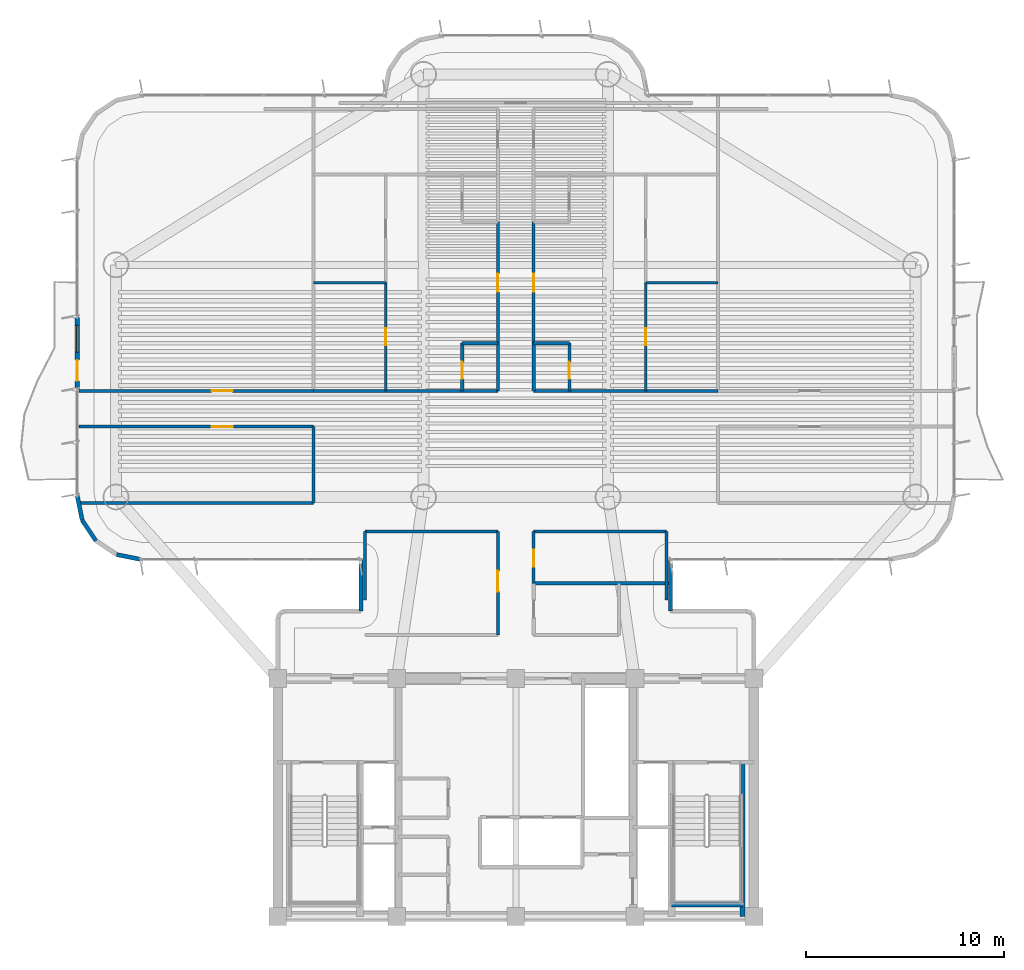
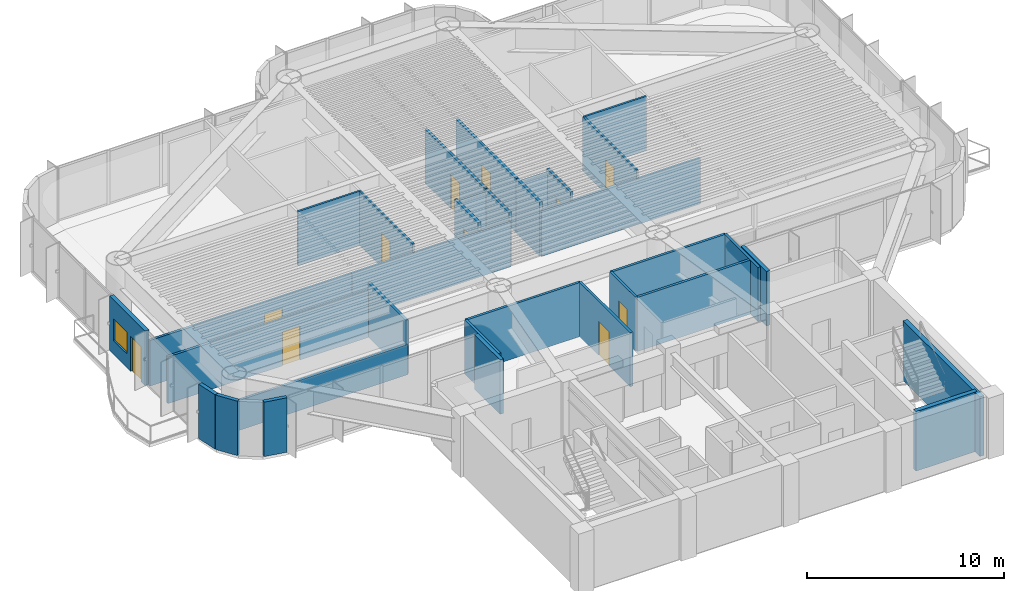
# One storey, part 9 of 15: 33 walls, 11 doors, 1 window, 12 openings.
"""IFC4 building model written with IfcOpenShell, lengths in metres."""

import ifcopenshell
import ifcopenshell.guid

model = None  # the IFC model being written
_history = None  # IfcOwnerHistory: only IFC2X3 demands one
_inside = {}  # id of a spatial element -> (the spatial element, [elements in it])
_under = {}  # id of a project, library or spatial element -> (it, [spatial elements below it])
_declared = {}  # id of a project -> (the project, [libraries it declares])
_typed = {}  # id of a type object -> (the type object, [elements of that type])
_made_of = {}  # id of a material, layer set ... -> (it, [elements and type objects made of it])


def new_model(schema):
    """Start an empty IFC model of exactly this schema.

    Asked for "IFC4X3", IfcOpenShell would pick the latest addendum, in which some entities
    have other attributes; the version numbers below select the first issue.
    IFC2X3 requires an IfcOwnerHistory on every rooted entity: one is made here for all.
    """
    global model, _history
    if schema == "IFC4X3":
        model = ifcopenshell.file(schema_version=(4, 3, 0, 0))
    else:
        model = ifcopenshell.file(schema=schema)
    _inside.clear()
    _under.clear()
    _declared.clear()
    _typed.clear()
    _made_of.clear()
    _history = None
    if model.schema == "IFC2X3":
        org = make("IfcOrganization", Name="unknown")
        user = make(
            "IfcPersonAndOrganization",
            ThePerson=make("IfcPerson", FamilyName="unknown"),
            TheOrganization=org,
        )
        app = make(
            "IfcApplication",
            ApplicationDeveloper=org,
            Version="unknown",
            ApplicationFullName="unknown",
            ApplicationIdentifier="unknown",
        )
        _history = make(
            "IfcOwnerHistory",
            OwningUser=user,
            OwningApplication=app,
            ChangeAction="ADDED",
            CreationDate=0,
        )
    return model


def make(cls, **values):
    """One entity of the class cls with the attributes given. An attribute that is None is left unset."""
    return model.create_entity(
        cls, **{name: value for name, value in values.items() if value is not None}
    )


def rooted(cls, **values):
    """An entity with a GlobalId (a new one), such as an element, a storey or a relation."""
    return make(cls, GlobalId=ifcopenshell.guid.new(), OwnerHistory=_history, **values)


def si_unit(unit_type, name, prefix=None):
    """IfcSIUnit, for example si_unit("LENGTHUNIT", "METRE", prefix="MILLI")."""
    return make("IfcSIUnit", UnitType=unit_type, Prefix=prefix, Name=name)


def assignment(units):
    """IfcUnitAssignment: the units of a project."""
    return None if units is None else make("IfcUnitAssignment", Units=units)


def point(xyz):
    """IfcCartesianPoint."""
    return None if xyz is None else make("IfcCartesianPoint", Coordinates=xyz)


def direction(xyz):
    """IfcDirection."""
    return None if xyz is None else make("IfcDirection", DirectionRatios=xyz)


def frame(location, z_axis=None, x_axis=None):
    """IfcAxis2Placement3D, a coordinate frame: its origin and axes. An axis left out is left unset."""
    return make(
        "IfcAxis2Placement3D",
        Location=point(location),
        Axis=direction(z_axis),
        RefDirection=direction(x_axis),
    )


def frame_2d(location, x_axis=None):
    """IfcAxis2Placement2D, a coordinate frame in the plane: its origin and x axis."""
    return make(
        "IfcAxis2Placement2D", Location=point(location), RefDirection=direction(x_axis)
    )


def origin():
    """The frame at (0, 0, 0) with its axes left unset."""
    return frame((0.0, 0.0, 0.0))


def origin_2d():
    """The frame at (0, 0) in the plane with its x axis left unset."""
    return frame_2d((0.0, 0.0))


def place(relative_to, where):
    """IfcLocalPlacement: puts the frame where relative to a parent placement (None: the world)."""
    return make(
        "IfcLocalPlacement", PlacementRelTo=relative_to, RelativePlacement=where
    )


def context(
    kind, dimensions, precision=None, world=None, true_north=None, identifier=None
):
    """IfcGeometricRepresentationContext, for example the 3D "Model" context."""
    return make(
        "IfcGeometricRepresentationContext",
        ContextIdentifier=identifier,
        ContextType=kind,
        CoordinateSpaceDimension=dimensions,
        Precision=precision,
        WorldCoordinateSystem=world,
        TrueNorth=true_north,
    )


def subcontext(parent, identifier, kind, view, scale=None):
    """IfcGeometricRepresentationSubContext, for example "Body" below "Model"."""
    return make(
        "IfcGeometricRepresentationSubContext",
        ContextIdentifier=identifier,
        ContextType=kind,
        ParentContext=parent,
        TargetScale=scale,
        TargetView=view,
    )


def project(units=None, contexts=None):
    """IfcProject with its units and contexts."""
    return rooted(
        "IfcProject",
        Name="project",
        RepresentationContexts=contexts,
        UnitsInContext=assignment(units),
    )


def spatial(cls, under=None, at=None, **own):
    """A site, building, storey or space (cls), placed at a placement, below another one or the project."""
    s = rooted(cls, ObjectPlacement=at, **own)
    if under is not None:
        _under.setdefault(under.id(), (under, []))[1].append(s)
    return s


def profile(cls, at=None, kind="AREA", **sizes):
    """A parametric profile (cls). Its sizes go by their IFC names, for example OverallWidth=200.0."""
    return make(cls, ProfileType=kind, Position=at, **sizes)


def rectangle(**sizes):
    """IfcRectangleProfileDef."""
    return profile("IfcRectangleProfileDef", **sizes)


def extrude(swept, where, along, depth):
    """IfcExtrudedAreaSolid: the profile swept, set in the frame where, extruded along a direction by depth."""
    return make(
        "IfcExtrudedAreaSolid",
        SweptArea=swept,
        Position=where,
        ExtrudedDirection=direction(along),
        Depth=depth,
    )


def shape(context_of_items, identifier, shape_type, items):
    """IfcShapeRepresentation: the items that make up one representation, for example the "Body"."""
    return make(
        "IfcShapeRepresentation",
        ContextOfItems=context_of_items,
        RepresentationIdentifier=identifier,
        RepresentationType=shape_type,
        Items=items,
    )


def source(mapping_origin, context_of_items, identifier, shape_type, items):
    """IfcRepresentationMap: a shape defined once, which mapped items show again and again."""
    return make(
        "IfcRepresentationMap",
        MappingOrigin=mapping_origin,
        MappedRepresentation=shape(context_of_items, identifier, shape_type, items),
    )


def transform(
    local_origin,
    x_axis=None,
    y_axis=None,
    z_axis=None,
    scale=None,
    scale2=None,
    scale3=None,
    uniform=True,
):
    """IfcCartesianTransformationOperator3D, or its non-uniform kind. x_axis, y_axis, z_axis: its Axis1, 2, 3."""
    if uniform:
        return make(
            "IfcCartesianTransformationOperator3D",
            Axis1=direction(x_axis),
            Axis2=direction(y_axis),
            LocalOrigin=point(local_origin),
            Scale=scale,
            Axis3=direction(z_axis),
        )
    return make(
        "IfcCartesianTransformationOperator3DnonUniform",
        Axis1=direction(x_axis),
        Axis2=direction(y_axis),
        LocalOrigin=point(local_origin),
        Scale=scale,
        Axis3=direction(z_axis),
        Scale2=scale2,
        Scale3=scale3,
    )


def mapped(mapping_source, mapping_target):
    """IfcMappedItem: shows the shape of a source again, moved by a transform."""
    return make(
        "IfcMappedItem", MappingSource=mapping_source, MappingTarget=mapping_target
    )


def material(Name=None, Category=None):
    """IfcMaterial."""
    return make("IfcMaterial", Name=Name, Category=Category)


def layer(
    of_material, thickness, ventilated=None, Name=None, Category=None, Priority=None
):
    """IfcMaterialLayer: one layer of a wall or slab, of a material (None: an air gap)."""
    return make(
        "IfcMaterialLayer",
        Material=of_material,
        LayerThickness=thickness,
        IsVentilated=ventilated,
        Name=Name,
        Category=Category,
        Priority=Priority,
    )


def layer_set(layers, Name=None):
    """IfcMaterialLayerSet."""
    return make("IfcMaterialLayerSet", MaterialLayers=layers, LayerSetName=Name)


def made_of(thing, what):
    """Note that an element or type object is made of a material, layer set ...; save() writes the relation."""
    if what is not None:
        _made_of.setdefault(what.id(), (what, []))[1].append(thing)
    return thing


def type_object(cls, material=None, **own):
    """A type object (cls), such as IfcWallType, which elements share."""
    return made_of(rooted(cls, **own), material)


def element(
    cls,
    number,
    at=None,
    inside=None,
    cuts=None,
    type_object=None,
    material=None,
    context=None,
    identifier="Body",
    shape_type=None,
    held_by="IfcProductDefinitionShape",
    body=None,
    shapes=None,
    **own,
):
    """One element of the class cls, such as IfcWall. Its Tag is "e" and its number.

    at: its placement. inside: the storey or other place that contains it. cuts: it is an
    opening in that element (IfcRelVoidsElement). A single representation is given by context,
    identifier, shape_type and body (its items); several are given by shapes. held_by: the class
    of the entity that holds the representations. save() writes the other relations.
    """
    e = rooted(cls, Tag="e%d" % number, ObjectPlacement=at, **own)
    if body is not None:
        shapes = [shape(context, identifier, shape_type, body)]
    if shapes is not None:
        e.Representation = make(held_by, Representations=shapes)
    if inside is not None:
        _inside.setdefault(inside.id(), (inside, []))[1].append(e)
    if cuts is not None:
        rooted(
            "IfcRelVoidsElement", RelatingBuildingElement=cuts, RelatedOpeningElement=e
        )
    if type_object is not None:
        _typed.setdefault(type_object.id(), (type_object, []))[1].append(e)
    return made_of(e, material)


def fill(opening, filler):
    """IfcRelFillsElement: the door or window that sits in an opening."""
    return rooted(
        "IfcRelFillsElement",
        RelatingOpeningElement=opening,
        RelatedBuildingElement=filler,
    )


def aggregate(whole, parts):
    """IfcRelAggregates: a whole, such as a stair, and the parts it consists of."""
    return rooted("IfcRelAggregates", RelatingObject=whole, RelatedObjects=parts)


def save(model, path):
    """Write the relations noted so far, then the file.

    IfcRelAggregates (storeys below a building ...), IfcRelContainedInSpatialStructure (elements
    in a storey), IfcRelDefinesByType, IfcRelAssociatesMaterial and IfcRelDeclares: one each for
    every whole, place, type object, material and project.
    """
    for whole, parts in _under.values():
        aggregate(whole, parts)
    for where, things in _inside.values():
        rooted(
            "IfcRelContainedInSpatialStructure",
            RelatedElements=things,
            RelatingStructure=where,
        )
    for kind, things in _typed.values():
        rooted("IfcRelDefinesByType", RelatedObjects=things, RelatingType=kind)
    for what, things in _made_of.values():
        rooted("IfcRelAssociatesMaterial", RelatedObjects=things, RelatingMaterial=what)
    for by, libraries in _declared.values():
        rooted("IfcRelDeclares", RelatingContext=by, RelatedDefinitions=libraries)
    model.write(path)


model = new_model("IFC4")

# Units and contexts
model_context = context("Model", 3, precision=1e-05, world=origin(), true_north=direction((0.0, 1.0)))
body_context = subcontext(model_context, "Body", "Model", "MODEL_VIEW")
ifc_project = project(units=[si_unit("LENGTHUNIT", "METRE"), si_unit("AREAUNIT", "SQUARE_METRE"), si_unit("VOLUMEUNIT", "CUBIC_METRE"), si_unit("PLANEANGLEUNIT", "RADIAN"), si_unit("MASSUNIT", "GRAM", prefix="KILO")], contexts=[model_context])

# Site, building, storey
site_placement = place(None, origin())
site = spatial("IfcSite", under=ifc_project, at=site_placement, CompositionType="ELEMENT")
building_placement = place(site_placement, origin())
building = spatial("IfcBuilding", under=site, at=building_placement, Name="Brelvock Crest Care Tower", CompositionType="ELEMENT")
storey_placement = place(building_placement, frame((0.0, 0.0, 142.739990234375)))
storey = spatial("IfcBuildingStorey", under=building, at=storey_placement, Name="L36", CompositionType="ELEMENT", Elevation=142.739990234375)

# Walls
ifc_material_1 = material(Name="Concrete S80 (80 MPa)", Category="concrete")
ifc_layer_1 = layer(ifc_material_1, 0.25, Name="WL-CS6")
ifc_layer_set_1 = layer_set([ifc_layer_1], Name="Concrete S80 (80 MPa)")
wall_type_1 = type_object("IfcWallType", Name="WL-CS6", PredefinedType="SHEAR", material=ifc_layer_set_1)
wall_1_placement = place(storey_placement, frame((47.419921875, 6.0, 0.0), z_axis=(0.0, 0.0, 1.0), x_axis=(0.0, 1.0, 0.0)))
element("IfcWall", 1, at=wall_1_placement, inside=storey, type_object=wall_type_1, Name="L36 Core Stair ST-2 East Shear Wall", PredefinedType="SHEAR", context=body_context, shape_type="SweptSolid", body=[
    extrude(rectangle(XDim=7.780029296875, YDim=0.25, at=frame_2d((3.89013671875, 0.0))), origin(), (0.0, 0.0, 1.0), 3.69189453125),
])
wall_2_placement = place(storey_placement, frame((43.85009765625, 6.6201171875, 0.0), z_axis=(0.0, 0.0, 1.0), x_axis=(1.0, 0.0, 0.0)))
element("IfcWall", 2, at=wall_2_placement, inside=storey, type_object=wall_type_1, Name="L36 Core Stair ST-2 South Shear Wall", PredefinedType="SHEAR", context=body_context, shape_type="SweptSolid", body=[
    extrude(rectangle(XDim=3.56982421875, YDim=0.25, at=frame_2d((1.784912109375, 0.0))), origin(), (0.0, 0.0, 1.0), 3.69189453125),
])

# Wall, openings, door, window
ifc_material_2 = material(Name="Precast concrete N40 (40 MPa)", Category="concrete")
ifc_layer_2 = layer(ifc_material_2, 0.239990234375, Name="WL-EX1")
ifc_layer_set_2 = layer_set([ifc_layer_2], Name="Precast concrete N40 (40 MPa)")
wall_type_2 = type_object("IfcWallType", Name="WL-EX1", PredefinedType="SOLIDWALL", material=ifc_layer_set_2)
wall_3_placement = place(storey_placement, frame((13.89990234375, 32.60009765625, 0.0), z_axis=(0.0, 0.0, 1.0), x_axis=(0.0, 1.0, 0.0)))
wall_3 = element("IfcWall", 3, at=wall_3_placement, inside=storey, type_object=wall_type_2, Name="L36 Exterior Spandrel Wall WL-BAL-L36-W", PredefinedType="SOLIDWALL", context=body_context, shape_type="SweptSolid", body=[
    extrude(rectangle(XDim=3.599853515625, YDim=0.239990234375, at=frame_2d((1.7998046875, 0.0))), origin(), (0.0, 0.0, 1.0), 3.3720703125),
])
opening_1_placement = place(wall_3_placement, frame((0.39990234375, 0.0, 0.0)))
opening_1 = element("IfcOpeningElement", 4, at=opening_1_placement, cuts=wall_3, Name="Opening BD-1", PredefinedType="OPENING", context=body_context, shape_type="SweptSolid", body=[
    extrude(rectangle(XDim=1.050048828125, YDim=2.14990234375, at=origin_2d()), frame((0.52490234375, 0.1298828125, 1.074951171875), z_axis=(0.0, -1.0, 0.0), x_axis=(1.0, 0.0, 0.0)), (0.0, 0.0, 1.0), 0.260009765625),
])
opening_2_placement = place(wall_3_placement, frame((1.85009765625, 0.0, 0.85009765625)))
opening_2 = element("IfcOpeningElement", 5, at=opening_2_placement, cuts=wall_3, Name="Opening W-01", PredefinedType="OPENING", context=body_context, shape_type="SweptSolid", body=[
    extrude(rectangle(XDim=1.35009765625, YDim=1.35009765625, at=origin_2d()), frame((0.675048828125, 0.1298828125, 0.675048828125), z_axis=(0.0, -1.0, 0.0), x_axis=(1.0, 0.0, 0.0)), (0.0, 0.0, 1.0), 0.260009765625),
])
ifc_material_3 = material(Name="Dark Glass Double Glazed Low-E", Category="glass")
door_type_1 = type_object("IfcDoorType", Name="DR-BAL1", OperationType="NOTDEFINED", PredefinedType="DOOR", material=ifc_material_3)
shared_shape_1 = source(origin(), body_context, "Body", "SweptSolid", [
    extrude(rectangle(XDim=1.050048828125, YDim=2.14990234375, at=origin_2d()), frame((0.52490234375, 0.02490234375, 1.074951171875), z_axis=(0.0, -1.0, 0.0), x_axis=(1.0, 0.0, 0.0)), (0.0, 0.0, 1.0), 0.050048828125),
])
door_1_placement = place(opening_1_placement, origin())
door_1 = element("IfcDoor", 6, at=door_1_placement, inside=storey, type_object=door_type_1, Name="L36 W Wave Balcony Glazed Door", OperationType="SINGLE_SWING_LEFT", OverallHeight=2.14990234375, OverallWidth=1.050048828125, PredefinedType="DOOR", context=body_context, shape_type="MappedRepresentation", body=[
    mapped(shared_shape_1, transform((0.0, 0.0, 0.0), x_axis=(1.0, 0.0, 0.0), y_axis=(0.0, 1.0, 0.0), z_axis=(0.0, 0.0, 1.0), scale=1.0)),
])
fill(opening_1, door_1)
window_type = type_object("IfcWindowType", Name="WN-EX1", PartitioningType="SINGLE_PANEL", PredefinedType="WINDOW", material=ifc_material_3)
shared_shape_2 = source(origin(), body_context, "Body", "SweptSolid", [
    extrude(rectangle(XDim=1.35009765625, YDim=1.35009765625, at=origin_2d()), frame((0.675048828125, 0.030029296875, 0.675048828125), z_axis=(0.0, -1.0, 0.0), x_axis=(1.0, 0.0, 0.0)), (0.0, 0.0, 1.0), 0.06005859375),
])
window_placement = place(opening_2_placement, origin())
window = element("IfcWindow", 7, at=window_placement, inside=storey, type_object=window_type, Name="L36 W Suite Casement Window", OverallHeight=1.35009765625, OverallWidth=1.35009765625, PartitioningType="SINGLE_PANEL", PredefinedType="WINDOW", context=body_context, shape_type="MappedRepresentation", body=[
    mapped(shared_shape_2, transform((0.0, 0.0, 0.0), x_axis=(1.0, 0.0, 0.0), y_axis=(0.0, 1.0, 0.0), z_axis=(0.0, 0.0, 1.0), scale=1.0)),
])
fill(opening_2, window)

# Walls
ifc_layer_3 = layer(ifc_material_2, 0.215087890625, Name="WL-EX2")
ifc_layer_set_3 = layer_set([ifc_layer_3], Name="Precast concrete N40 (40 MPa)")
wall_type_3 = type_object("IfcWallType", Name="WL-EX2", PredefinedType="SOLIDWALL", material=ifc_layer_set_3)
wall_4_placement = place(storey_placement, frame((28.199951171875, 21.39990234375, 0.0), z_axis=(0.0, 0.0, 1.0), x_axis=(0.0, 1.0, 0.0)))
element("IfcWall", 8, at=wall_4_placement, inside=storey, type_object=wall_type_3, Name="L36 Rounded Corner Wall 11", PredefinedType="SOLIDWALL", context=body_context, shape_type="SweptSolid", body=[
    extrude(rectangle(XDim=2.60009765625, YDim=0.215087890625, at=frame_2d((1.300048828125, 0.0))), origin(), (0.0, 0.0, 1.0), 3.3720703125),
])
for number, where, z_axis, x_axis, name in (
    (9, (17.10009765625, 24.0, 0.0), (0.0, 0.0, 1.0), (-0.980775717779, 0.195138390419, 0.0), "L36 Rounded Corner Wall 13"),
    (10, (14.83740234375, 24.937255859375, 0.0), (0.0, 0.0, 1.0), (-0.555692485475, 0.831387912822, 0.0), "L36 Rounded Corner Wall 15"),
    (11, (14.1435546875, 25.975341796875, 0.0), (0.0, 0.0, 1.0), (-0.195138390419, 0.980775717779, 0.0), "L36 Rounded Corner Wall 16"),
):
    element("IfcWall", number, at=place(storey_placement, frame(where, z_axis=z_axis, x_axis=x_axis)), inside=storey, type_object=wall_type_3, Name=name, PredefinedType="SOLIDWALL", context=body_context, shape_type="SweptSolid", body=[
        extrude(rectangle(XDim=1.24853515625, YDim=0.215087890625, at=frame_2d((0.624267578125, 0.0))), origin(), (0.0, 0.0, 1.0), 3.3720703125),
    ])
wall_5_placement = place(storey_placement, frame((43.800048828125, 24.0, 0.0), z_axis=(0.0, 0.0, 1.0), x_axis=(0.0, -1.0, 0.0)))
element("IfcWall", 12, at=wall_5_placement, inside=storey, type_object=wall_type_3, Name="L36 Rounded Corner Wall 45", PredefinedType="SOLIDWALL", context=body_context, shape_type="SweptSolid", body=[
    extrude(rectangle(XDim=2.60009765625, YDim=0.215087890625, at=frame_2d((1.300048828125, 0.0))), origin(), (0.0, 0.0, 1.0), 3.3720703125),
])
ifc_material_4 = material(Name="Masonry Blockwork Acoustic Partition", Category="masonry")
ifc_layer_4 = layer(ifc_material_4, 0.14990234375, Name="WL-INT1")
ifc_layer_set_4 = layer_set([ifc_layer_4], Name="Masonry Blockwork Acoustic Partition")
wall_type_4 = type_object("IfcWallType", Name="WL-INT1", PredefinedType="PARTITIONING", material=ifc_layer_set_4)
for number, where, z_axis, x_axis, name in (
    (13, (28.39990234375, 25.39990234375, 0.0), (0.0, 0.0, 1.0), (1.0, 0.0, 0.0), "L36 Interior Wall WL-BX-L36-THW-N"),
    (14, (36.89990234375, 25.39990234375, 0.0), (0.0, 0.0, 1.0), (1.0, 0.0, 0.0), "L36 Interior Wall WL-BX-L36-THE2-N"),
):
    element("IfcWall", number, at=place(storey_placement, frame(where, z_axis=z_axis, x_axis=x_axis)), inside=storey, type_object=wall_type_4, Name=name, PredefinedType="PARTITIONING", context=body_context, shape_type="SweptSolid", body=[
        extrude(rectangle(XDim=6.7001953125, YDim=0.14990234375, at=frame_2d((3.35009765625, 0.0))), origin(), (0.0, 0.0, 1.0), 3.342041015625),
    ])
wall_6_placement = place(storey_placement, frame((14.05126953125, 26.85009765625, 0.0), z_axis=(0.0, 0.0, 1.0), x_axis=(1.0, 0.0, 0.0)))
element("IfcWall", 15, at=wall_6_placement, inside=storey, type_object=wall_type_4, Name="L36 Interior Wall WL-BX-L36-ISWO-S", PredefinedType="PARTITIONING", context=body_context, shape_type="SweptSolid", body=[
    extrude(rectangle(XDim=11.748779296875, YDim=0.14990234375, at=frame_2d((5.87451171875, 0.0))), origin(), (0.0, 0.0, 1.0), 1.85693359375),
])

# Wall, opening, door
wall_7_placement = place(storey_placement, frame((13.97998046875, 30.699951171875, 0.0), z_axis=(0.0, 0.0, 1.0), x_axis=(1.0, 0.0, 0.0)))
wall_7 = element("IfcWall", 16, at=wall_7_placement, inside=storey, type_object=wall_type_4, Name="L36 Interior Wall WL-RM-L36-ISWO", PredefinedType="PARTITIONING", context=body_context, shape_type="SweptSolid", body=[
    extrude(rectangle(XDim=11.820068359375, YDim=0.14990234375, at=frame_2d((5.91015625, 0.0))), origin(), (0.0, 0.0, 1.0), 2.89697265625),
])
opening_3_placement = place(wall_7_placement, frame((6.695068359375, 0.0, 0.0)))
opening_3 = element("IfcOpeningElement", 17, at=opening_3_placement, cuts=wall_7, Name="Opening CLD-1", PredefinedType="OPENING", context=body_context, shape_type="SweptSolid", body=[
    extrude(rectangle(XDim=1.050048828125, YDim=2.10009765625, at=origin_2d()), frame((0.52490234375, 0.0849609375, 1.050048828125), z_axis=(0.0, -1.0, 0.0), x_axis=(1.0, 0.0, 0.0)), (0.0, 0.0, 1.0), 0.169921875),
])
ifc_material_5 = material(Name="Engineered Hardwood Timber", Category="wood")
door_type_2 = type_object("IfcDoorType", Name="DR-CLN1", OperationType="NOTDEFINED", PredefinedType="DOOR", material=ifc_material_5)
shared_shape_3 = source(origin(), body_context, "Body", "SweptSolid", [
    extrude(rectangle(XDim=1.050048828125, YDim=2.10009765625, at=origin_2d()), frame((0.52490234375, 0.02490234375, 1.050048828125), z_axis=(0.0, -1.0, 0.0), x_axis=(1.0, 0.0, 0.0)), (0.0, 0.0, 1.0), 0.050048828125),
])
door_2_placement = place(opening_3_placement, origin())
door_2 = element("IfcDoor", 18, at=door_2_placement, inside=storey, type_object=door_type_2, Name="L36 Resident Sun Conservatory Door ISWO", OperationType="SINGLE_SWING_LEFT", OverallHeight=2.10009765625, OverallWidth=1.050048828125, PredefinedType="DOOR", context=body_context, shape_type="MappedRepresentation", body=[
    mapped(shared_shape_3, transform((0.0, 0.0, 0.0), x_axis=(1.0, 0.0, 0.0), y_axis=(0.0, 1.0, 0.0), z_axis=(0.0, 0.0, 1.0), scale=1.0)),
])
fill(opening_3, door_2)

wall_8_placement = place(storey_placement, frame((13.97998046875, 32.5, 0.0), z_axis=(0.0, 0.0, 1.0), x_axis=(1.0, 0.0, 0.0)))
wall_8 = element("IfcWall", 19, at=wall_8_placement, inside=storey, type_object=wall_type_4, Name="L36 Interior Wall WL-RM-L36-INWO", PredefinedType="PARTITIONING", context=body_context, shape_type="SweptSolid", body=[
    extrude(rectangle(XDim=11.820068359375, YDim=0.14990234375, at=frame_2d((5.91015625, 0.0))), origin(), (0.0, 0.0, 1.0), 2.823974609375),
])
opening_4_placement = place(wall_8_placement, frame((6.695068359375, 0.0, 0.0)))
opening_4 = element("IfcOpeningElement", 20, at=opening_4_placement, cuts=wall_8, Name="Opening CLD-1", PredefinedType="OPENING", context=body_context, shape_type="SweptSolid", body=[
    extrude(rectangle(XDim=1.050048828125, YDim=2.10009765625, at=origin_2d()), frame((0.52490234375, 0.0849609375, 1.050048828125), z_axis=(0.0, -1.0, 0.0), x_axis=(1.0, 0.0, 0.0)), (0.0, 0.0, 1.0), 0.169921875),
])
door_3_placement = place(opening_4_placement, origin())
door_3 = element("IfcDoor", 21, at=door_3_placement, inside=storey, type_object=door_type_2, Name="L36 Resident Sun Conservatory Door INWO", OperationType="SINGLE_SWING_LEFT", OverallHeight=2.10009765625, OverallWidth=1.050048828125, PredefinedType="DOOR", context=body_context, shape_type="MappedRepresentation", body=[
    mapped(shared_shape_3, transform((0.0, 0.0, 0.0), x_axis=(1.0, 0.0, 0.0), y_axis=(0.0, 1.0, 0.0), z_axis=(0.0, 0.0, 1.0), scale=1.0)),
])
fill(opening_4, door_3)

# Walls
for number, where, z_axis, x_axis, name in (
    (22, (25.800048828125, 32.5, 0.0), (0.0, 0.0, 1.0), (1.0, 0.0, 0.0), "L36 Interior Wall WL-BX-L36-FL-INWI-S"),
    (23, (36.89990234375, 32.5, 0.0), (0.0, 0.0, 1.0), (1.0, 0.0, 0.0), "L36 Interior Wall WL-BX-L36-FL-INEI-S"),
):
    element("IfcWall", number, at=place(storey_placement, frame(where, z_axis=z_axis, x_axis=x_axis)), inside=storey, type_object=wall_type_4, Name=name, PredefinedType="PARTITIONING", context=body_context, shape_type="SweptSolid", body=[
        extrude(rectangle(XDim=9.300048828125, YDim=0.14990234375, at=frame_2d((4.64990234375, 0.0))), origin(), (0.0, 0.0, 1.0), 2.823974609375),
    ])
wall_9_placement = place(storey_placement, frame((25.800048828125, 26.85009765625, 0.0), z_axis=(0.0, 0.0, 1.0), x_axis=(0.0, 1.0, 0.0)))
element("IfcWall", 24, at=wall_9_placement, inside=storey, type_object=wall_type_4, Name="L36 Interior Wall WL-BX-L36-ISWO-E", PredefinedType="PARTITIONING", context=body_context, shape_type="SweptSolid", body=[
    extrude(rectangle(XDim=3.849853515625, YDim=0.14990234375, at=frame_2d((1.9248046875, 0.0))), origin(), (0.0, 0.0, 1.0), 3.342041015625),
])
wall_10_placement = place(storey_placement, frame((28.39990234375, 21.957275390625, 0.0), z_axis=(0.0, 0.0, 1.0), x_axis=(0.0, 1.0, 0.0)))
element("IfcWall", 25, at=wall_10_placement, inside=storey, type_object=wall_type_4, Name="L36 Interior Wall WL-BX-L36-THW-W2", PredefinedType="PARTITIONING", context=body_context, shape_type="SweptSolid", body=[
    extrude(rectangle(XDim=3.442626953125, YDim=0.14990234375, at=frame_2d((1.72119140625, 0.0))), origin(), (0.0, 0.0, 1.0), 3.342041015625),
])

# Wall, opening, door
wall_11_placement = place(storey_placement, frame((35.10009765625, 20.199951171875, 0.0), z_axis=(0.0, 0.0, 1.0), x_axis=(0.0, 1.0, 0.0)))
wall_11 = element("IfcWall", 26, at=wall_11_placement, inside=storey, type_object=wall_type_4, Name="L36 Interior Wall WL-RM-L36-THW", PredefinedType="PARTITIONING", context=body_context, shape_type="SweptSolid", body=[
    extrude(rectangle(XDim=5.199951171875, YDim=0.14990234375, at=frame_2d((2.60009765625, 0.0))), origin(), (0.0, 0.0, 1.0), 3.342041015625),
])
opening_5_placement = place(wall_11_placement, frame((2.175048828125, 0.0, 0.0)))
opening_5 = element("IfcOpeningElement", 27, at=opening_5_placement, cuts=wall_11, Name="Opening CLD-1", PredefinedType="OPENING", context=body_context, shape_type="SweptSolid", body=[
    extrude(rectangle(XDim=1.050048828125, YDim=2.10009765625, at=origin_2d()), frame((0.52490234375, 0.0849609375, 1.050048828125), z_axis=(0.0, -1.0, 0.0), x_axis=(1.0, 0.0, 0.0)), (0.0, 0.0, 1.0), 0.169921875),
])
door_4_placement = place(opening_5_placement, origin())
door_4 = element("IfcDoor", 28, at=door_4_placement, inside=storey, type_object=door_type_2, Name="L36 Allied Health Consultation Room Door THW", OperationType="SINGLE_SWING_LEFT", OverallHeight=2.10009765625, OverallWidth=1.050048828125, PredefinedType="DOOR", context=body_context, shape_type="MappedRepresentation", body=[
    mapped(shared_shape_3, transform((0.0, 0.0, 0.0), x_axis=(1.0, 0.0, 0.0), y_axis=(0.0, 1.0, 0.0), z_axis=(0.0, 0.0, 1.0), scale=1.0)),
])
fill(opening_5, door_4)

wall_12_placement = place(storey_placement, frame((35.10009765625, 34.89990234375, 0.0), z_axis=(0.0, 0.0, 1.0), x_axis=(0.0, 1.0, 0.0)))
wall_12 = element("IfcWall", 29, at=wall_12_placement, inside=storey, type_object=wall_type_4, Name="L36 Interior Wall WL-UENT-L36-INWI", PredefinedType="PARTITIONING", context=body_context, shape_type="SweptSolid", body=[
    extrude(rectangle(XDim=6.10009765625, YDim=0.14990234375, at=frame_2d((3.050048828125, 0.0))), origin(), (0.0, 0.0, 1.0), 3.342041015625),
])
opening_6_placement = place(wall_12_placement, frame((2.590087890625, 0.0, 0.0)))
opening_6 = element("IfcOpeningElement", 30, at=opening_6_placement, cuts=wall_12, Name="Opening AD-1", PredefinedType="OPENING", context=body_context, shape_type="SweptSolid", body=[
    extrude(rectangle(XDim=0.919921875, YDim=2.10009765625, at=origin_2d()), frame((0.4599609375, 0.0849609375, 1.050048828125), z_axis=(0.0, -1.0, 0.0), x_axis=(1.0, 0.0, 0.0)), (0.0, 0.0, 1.0), 0.169921875),
])
door_type_3 = type_object("IfcDoorType", Name="DR-APT1", OperationType="NOTDEFINED", PredefinedType="DOOR", material=ifc_material_5)
shared_shape_4 = source(origin(), body_context, "Body", "SweptSolid", [
    extrude(rectangle(XDim=0.919921875, YDim=2.10009765625, at=origin_2d()), frame((0.4599609375, 0.02490234375, 1.050048828125), z_axis=(0.0, -1.0, 0.0), x_axis=(1.0, 0.0, 0.0)), (0.0, 0.0, 1.0), 0.050048828125),
])
door_5_placement = place(opening_6_placement, origin())
door_5 = element("IfcDoor", 31, at=door_5_placement, inside=storey, type_object=door_type_3, Name="L36 Apartment Entrance INWI", OperationType="SINGLE_SWING_LEFT", OverallHeight=2.10009765625, OverallWidth=0.919921875, PredefinedType="DOOR", context=body_context, shape_type="MappedRepresentation", body=[
    mapped(shared_shape_4, transform((0.0, 0.0, 0.0), x_axis=(1.0, 0.0, 0.0), y_axis=(0.0, 1.0, 0.0), z_axis=(0.0, 0.0, 1.0), scale=1.0)),
])
fill(opening_6, door_5)

wall_13_placement = place(storey_placement, frame((36.89990234375, 22.800048828125, 0.0), z_axis=(0.0, 0.0, 1.0), x_axis=(0.0, 1.0, 0.0)))
wall_13 = element("IfcWall", 32, at=wall_13_placement, inside=storey, type_object=wall_type_4, Name="L36 Interior Wall WL-RM-L36-THE2", PredefinedType="PARTITIONING", context=body_context, shape_type="SweptSolid", body=[
    extrude(rectangle(XDim=2.599853515625, YDim=0.14990234375, at=frame_2d((1.2998046875, 0.0))), origin(), (0.0, 0.0, 1.0), 3.342041015625),
])
opening_7_placement = place(wall_13_placement, frame((0.840087890625, 0.0, 0.0)))
opening_7 = element("IfcOpeningElement", 33, at=opening_7_placement, cuts=wall_13, Name="Opening ID-1", PredefinedType="OPENING", context=body_context, shape_type="SweptSolid", body=[
    extrude(rectangle(XDim=0.860107421875, YDim=2.10009765625, at=origin_2d()), frame((0.43017578125, 0.0849609375, 1.050048828125), z_axis=(0.0, -1.0, 0.0), x_axis=(1.0, 0.0, 0.0)), (0.0, 0.0, 1.0), 0.169921875),
])
door_type_4 = type_object("IfcDoorType", Name="DR-INT1", OperationType="NOTDEFINED", PredefinedType="DOOR", material=ifc_material_5)
shared_shape_5 = source(origin(), body_context, "Body", "SweptSolid", [
    extrude(rectangle(XDim=0.860107421875, YDim=2.10009765625, at=origin_2d()), frame((0.43017578125, 0.02490234375, 1.050048828125), z_axis=(0.0, -1.0, 0.0), x_axis=(1.0, 0.0, 0.0)), (0.0, 0.0, 1.0), 0.050048828125),
])
door_6_placement = place(opening_7_placement, origin())
door_6 = element("IfcDoor", 34, at=door_6_placement, inside=storey, type_object=door_type_4, Name="L36 Care Coordinator Office Door THE2", OperationType="SINGLE_SWING_LEFT", OverallHeight=2.10009765625, OverallWidth=0.860107421875, PredefinedType="DOOR", context=body_context, shape_type="MappedRepresentation", body=[
    mapped(shared_shape_5, transform((0.0, 0.0, 0.0), x_axis=(1.0, 0.0, 0.0), y_axis=(0.0, 1.0, 0.0), z_axis=(0.0, 0.0, 1.0), scale=1.0)),
])
fill(opening_7, door_6)

wall_14_placement = place(storey_placement, frame((36.89990234375, 34.89990234375, 0.0), z_axis=(0.0, 0.0, 1.0), x_axis=(0.0, 1.0, 0.0)))
wall_14 = element("IfcWall", 35, at=wall_14_placement, inside=storey, type_object=wall_type_4, Name="L36 Interior Wall WL-UENT-L36-INEI", PredefinedType="PARTITIONING", context=body_context, shape_type="SweptSolid", body=[
    extrude(rectangle(XDim=6.10009765625, YDim=0.14990234375, at=frame_2d((3.050048828125, 0.0))), origin(), (0.0, 0.0, 1.0), 3.342041015625),
])
opening_8_placement = place(wall_14_placement, frame((2.590087890625, 0.0, 0.0)))
opening_8 = element("IfcOpeningElement", 36, at=opening_8_placement, cuts=wall_14, Name="Opening AD-1", PredefinedType="OPENING", context=body_context, shape_type="SweptSolid", body=[
    extrude(rectangle(XDim=0.919921875, YDim=2.10009765625, at=origin_2d()), frame((0.4599609375, 0.0849609375, 1.050048828125), z_axis=(0.0, -1.0, 0.0), x_axis=(1.0, 0.0, 0.0)), (0.0, 0.0, 1.0), 0.169921875),
])
door_7_placement = place(opening_8_placement, origin())
door_7 = element("IfcDoor", 37, at=door_7_placement, inside=storey, type_object=door_type_3, Name="L36 Apartment Entrance INEI", OperationType="SINGLE_SWING_LEFT", OverallHeight=2.10009765625, OverallWidth=0.919921875, PredefinedType="DOOR", context=body_context, shape_type="MappedRepresentation", body=[
    mapped(shared_shape_4, transform((0.0, 0.0, 0.0), x_axis=(1.0, 0.0, 0.0), y_axis=(0.0, 1.0, 0.0), z_axis=(0.0, 0.0, 1.0), scale=1.0)),
])
fill(opening_8, door_7)

# Walls
wall_15_placement = place(storey_placement, frame((43.60009765625, 21.95751953125, 0.0), z_axis=(0.0, 0.0, 1.0), x_axis=(0.0, 1.0, 0.0)))
element("IfcWall", 38, at=wall_15_placement, inside=storey, type_object=wall_type_4, Name="L36 Interior Wall WL-BX-L36-THE2-E", PredefinedType="PARTITIONING", context=body_context, shape_type="SweptSolid", body=[
    extrude(rectangle(XDim=3.4423828125, YDim=0.14990234375, at=frame_2d((1.72119140625, 0.0))), origin(), (0.0, 0.0, 1.0), 3.342041015625),
])
ifc_material_6 = material(Name="Gypsum Plasterboard Partition", Category="gypsum")
ifc_layer_5 = layer(ifc_material_6, 0.1201171875, Name="WL-INT2")
ifc_layer_set_5 = layer_set([ifc_layer_5], Name="Gypsum Plasterboard Partition")
wall_type_5 = type_object("IfcWallType", Name="WL-INT2", PredefinedType="PARTITIONING", material=ifc_layer_set_5)
for number, where, z_axis, x_axis, name in (
    (39, (25.800048828125, 37.949951171875, 0.0), (0.0, 0.0, 1.0), (1.0, 0.0, 0.0), "L36 Interior Wall WL-UBSP-L36-INWI"),
    (40, (42.550048828125, 37.949951171875, 0.0), (0.0, 0.0, 1.0), (1.0, 0.0, 0.0), "L36 Interior Wall WL-UBSP-L36-INEI"),
):
    element("IfcWall", number, at=place(storey_placement, frame(where, z_axis=z_axis, x_axis=x_axis)), inside=storey, type_object=wall_type_5, Name=name, PredefinedType="PARTITIONING", context=body_context, shape_type="SweptSolid", body=[
        extrude(rectangle(XDim=3.64990234375, YDim=0.1201171875, at=frame_2d((1.824951171875, 0.0))), origin(), (0.0, 0.0, 1.0), 3.342041015625),
    ])

# Wall, opening, door
wall_16_placement = place(storey_placement, frame((29.449951171875, 32.5, 0.0), z_axis=(0.0, 0.0, 1.0), x_axis=(0.0, 1.0, 0.0)))
wall_16 = element("IfcWall", 41, at=wall_16_placement, inside=storey, type_object=wall_type_5, Name="L36 Interior Wall WL-UBD1-L36-INWI", PredefinedType="PARTITIONING", context=body_context, shape_type="SweptSolid", body=[
    extrude(rectangle(XDim=5.449951171875, YDim=0.1201171875, at=frame_2d((2.72509765625, 0.0))), origin(), (0.0, 0.0, 1.0), 3.342041015625),
])
opening_9_placement = place(wall_16_placement, frame((2.294921875, 0.0, 0.0)))
opening_9 = element("IfcOpeningElement", 42, at=opening_9_placement, cuts=wall_16, Name="Opening ID-1", PredefinedType="OPENING", context=body_context, shape_type="SweptSolid", body=[
    extrude(rectangle(XDim=0.860107421875, YDim=2.10009765625, at=origin_2d()), frame((0.43017578125, 0.070068359375, 1.050048828125), z_axis=(0.0, -1.0, 0.0), x_axis=(1.0, 0.0, 0.0)), (0.0, 0.0, 1.0), 0.14013671875),
])
door_8_placement = place(opening_9_placement, origin())
door_8 = element("IfcDoor", 43, at=door_8_placement, inside=storey, type_object=door_type_4, Name="L36 Primary Bedroom Door INWI", OperationType="SINGLE_SWING_RIGHT", OverallHeight=2.10009765625, OverallWidth=0.860107421875, PredefinedType="DOOR", context=body_context, shape_type="MappedRepresentation", body=[
    mapped(shared_shape_5, transform((0.0, 0.0, 0.0), x_axis=(1.0, 0.0, 0.0), y_axis=(0.0, 1.0, 0.0), z_axis=(0.0, 0.0, 1.0), scale=1.0)),
])
fill(opening_9, door_8)

wall_17_placement = place(storey_placement, frame((42.550048828125, 32.5, 0.0), z_axis=(0.0, 0.0, 1.0), x_axis=(0.0, 1.0, 0.0)))
wall_17 = element("IfcWall", 44, at=wall_17_placement, inside=storey, type_object=wall_type_5, Name="L36 Interior Wall WL-UBD1-L36-INEI", PredefinedType="PARTITIONING", context=body_context, shape_type="SweptSolid", body=[
    extrude(rectangle(XDim=5.449951171875, YDim=0.1201171875, at=frame_2d((2.72509765625, 0.0))), origin(), (0.0, 0.0, 1.0), 3.342041015625),
])
opening_10_placement = place(wall_17_placement, frame((2.294921875, 0.0, 0.0)))
opening_10 = element("IfcOpeningElement", 45, at=opening_10_placement, cuts=wall_17, Name="Opening ID-1", PredefinedType="OPENING", context=body_context, shape_type="SweptSolid", body=[
    extrude(rectangle(XDim=0.860107421875, YDim=2.10009765625, at=origin_2d()), frame((0.43017578125, 0.070068359375, 1.050048828125), z_axis=(0.0, -1.0, 0.0), x_axis=(1.0, 0.0, 0.0)), (0.0, 0.0, 1.0), 0.14013671875),
])
door_9_placement = place(opening_10_placement, origin())
door_9 = element("IfcDoor", 46, at=door_9_placement, inside=storey, type_object=door_type_4, Name="L36 Primary Bedroom Door INEI", OperationType="SINGLE_SWING_RIGHT", OverallHeight=2.10009765625, OverallWidth=0.860107421875, PredefinedType="DOOR", context=body_context, shape_type="MappedRepresentation", body=[
    mapped(shared_shape_5, transform((0.0, 0.0, 0.0), x_axis=(1.0, 0.0, 0.0), y_axis=(0.0, 1.0, 0.0), z_axis=(0.0, 0.0, 1.0), scale=1.0)),
])
fill(opening_10, door_9)

# Walls
ifc_layer_6 = layer(ifc_material_6, 0.159912109375, Name="WL-PLM1")
ifc_layer_set_6 = layer_set([ifc_layer_6], Name="Gypsum Plasterboard Partition")
wall_type_6 = type_object("IfcWallType", Name="WL-PLM1", PredefinedType="PLUMBINGWALL", material=ifc_layer_set_6)
wall_18_placement = place(storey_placement, frame((36.89990234375, 22.800048828125, 0.0), z_axis=(0.0, 0.0, 1.0), x_axis=(1.0, 0.0, 0.0)))
element("IfcWall", 47, at=wall_18_placement, inside=storey, type_object=wall_type_6, Name="L36 Interior Wall WL-BX-L36-THE2-S", PredefinedType="PLUMBINGWALL", context=body_context, shape_type="SweptSolid", body=[
    extrude(rectangle(XDim=6.820068359375, YDim=0.159912109375, at=frame_2d((3.41015625, 0.0))), origin(), (0.0, 0.0, 1.0), 3.342041015625),
])
for number, where, z_axis, x_axis, name in (
    (48, (33.300048828125, 34.89990234375, 0.0), (0.0, 0.0, 1.0), (1.0, 0.0, 0.0), "L36 Interior Wall WL-UBTH2-L36-INWI"),
    (49, (36.89990234375, 34.89990234375, 0.0), (0.0, 0.0, 1.0), (1.0, 0.0, 0.0), "L36 Interior Wall WL-UBTH2-L36-INEI"),
):
    element("IfcWall", number, at=place(storey_placement, frame(where, z_axis=z_axis, x_axis=x_axis)), inside=storey, type_object=wall_type_6, Name=name, PredefinedType="PLUMBINGWALL", context=body_context, shape_type="SweptSolid", body=[
        extrude(rectangle(XDim=1.800048828125, YDim=0.159912109375, at=frame_2d((0.89990234375, 0.0))), origin(), (0.0, 0.0, 1.0), 3.10107421875),
    ])

# Wall, opening, door
wall_19_placement = place(storey_placement, frame((33.300048828125, 32.5, 0.0), z_axis=(0.0, 0.0, 1.0), x_axis=(0.0, 1.0, 0.0)))
wall_19 = element("IfcWall", 50, at=wall_19_placement, inside=storey, type_object=wall_type_6, Name="L36 Interior Wall WL-UBTH1-L36-INWI", PredefinedType="PLUMBINGWALL", context=body_context, shape_type="SweptSolid", body=[
    extrude(rectangle(XDim=2.39990234375, YDim=0.159912109375, at=frame_2d((1.199951171875, 0.0))), origin(), (0.0, 0.0, 1.0), 3.342041015625),
])
opening_11_placement = place(wall_19_placement, frame((0.60009765625, 0.0, 0.0)))
opening_11 = element("IfcOpeningElement", 51, at=opening_11_placement, cuts=wall_19, Name="Opening WD-1", PredefinedType="OPENING", context=body_context, shape_type="SweptSolid", body=[
    extrude(rectangle(XDim=0.860107421875, YDim=2.10009765625, at=origin_2d()), frame((0.43017578125, 0.08984375, 1.050048828125), z_axis=(0.0, -1.0, 0.0), x_axis=(1.0, 0.0, 0.0)), (0.0, 0.0, 1.0), 0.179931640625),
])
door_type_5 = type_object("IfcDoorType", Name="DR-WC1", OperationType="NOTDEFINED", PredefinedType="DOOR", material=ifc_material_5)
shared_shape_6 = source(origin(), body_context, "Body", "SweptSolid", [
    extrude(rectangle(XDim=0.860107421875, YDim=2.10009765625, at=origin_2d()), frame((0.43017578125, 0.02490234375, 1.050048828125), z_axis=(0.0, -1.0, 0.0), x_axis=(1.0, 0.0, 0.0)), (0.0, 0.0, 1.0), 0.050048828125),
])
door_10_placement = place(opening_11_placement, origin())
door_10 = element("IfcDoor", 52, at=door_10_placement, inside=storey, type_object=door_type_5, Name="L36 Bathroom Door INWI", OperationType="SINGLE_SWING_LEFT", OverallHeight=2.10009765625, OverallWidth=0.860107421875, PredefinedType="DOOR", context=body_context, shape_type="MappedRepresentation", body=[
    mapped(shared_shape_6, transform((0.0, 0.0, 0.0), x_axis=(1.0, 0.0, 0.0), y_axis=(0.0, 1.0, 0.0), z_axis=(0.0, 0.0, 1.0), scale=1.0)),
])
fill(opening_11, door_10)

# Walls
for number, where, z_axis, x_axis, name in (
    (53, (35.10009765625, 32.5, 0.0), (0.0, 0.0, 1.0), (0.0, 1.0, 0.0), "L36 Interior Wall WL-UCB-L36-INWI"),
    (54, (36.89990234375, 32.5, 0.0), (0.0, 0.0, 1.0), (0.0, 1.0, 0.0), "L36 Interior Wall WL-UCB-L36-INEI"),
):
    element("IfcWall", number, at=place(storey_placement, frame(where, z_axis=z_axis, x_axis=x_axis)), inside=storey, type_object=wall_type_6, Name=name, PredefinedType="PLUMBINGWALL", context=body_context, shape_type="SweptSolid", body=[
        extrude(rectangle(XDim=2.39990234375, YDim=0.159912109375, at=frame_2d((1.199951171875, 0.0))), origin(), (0.0, 0.0, 1.0), 3.342041015625),
    ])

# Wall, opening, door
wall_20_placement = place(storey_placement, frame((38.699951171875, 32.5, 0.0), z_axis=(0.0, 0.0, 1.0), x_axis=(0.0, 1.0, 0.0)))
wall_20 = element("IfcWall", 55, at=wall_20_placement, inside=storey, type_object=wall_type_6, Name="L36 Interior Wall WL-UBTH1-L36-INEI", PredefinedType="PLUMBINGWALL", context=body_context, shape_type="SweptSolid", body=[
    extrude(rectangle(XDim=2.39990234375, YDim=0.159912109375, at=frame_2d((1.199951171875, 0.0))), origin(), (0.0, 0.0, 1.0), 3.342041015625),
])
opening_12_placement = place(wall_20_placement, frame((0.60009765625, 0.0, 0.0)))
opening_12 = element("IfcOpeningElement", 56, at=opening_12_placement, cuts=wall_20, Name="Opening WD-1", PredefinedType="OPENING", context=body_context, shape_type="SweptSolid", body=[
    extrude(rectangle(XDim=0.860107421875, YDim=2.10009765625, at=origin_2d()), frame((0.43017578125, 0.08984375, 1.050048828125), z_axis=(0.0, -1.0, 0.0), x_axis=(1.0, 0.0, 0.0)), (0.0, 0.0, 1.0), 0.179931640625),
])
door_11_placement = place(opening_12_placement, origin())
door_11 = element("IfcDoor", 57, at=door_11_placement, inside=storey, type_object=door_type_5, Name="L36 Bathroom Door INEI", OperationType="SINGLE_SWING_LEFT", OverallHeight=2.10009765625, OverallWidth=0.860107421875, PredefinedType="DOOR", context=body_context, shape_type="MappedRepresentation", body=[
    mapped(shared_shape_6, transform((0.0, 0.0, 0.0), x_axis=(1.0, 0.0, 0.0), y_axis=(0.0, 1.0, 0.0), z_axis=(0.0, 0.0, 1.0), scale=1.0)),
])
fill(opening_12, door_11)

save(model, "model.ifc")
